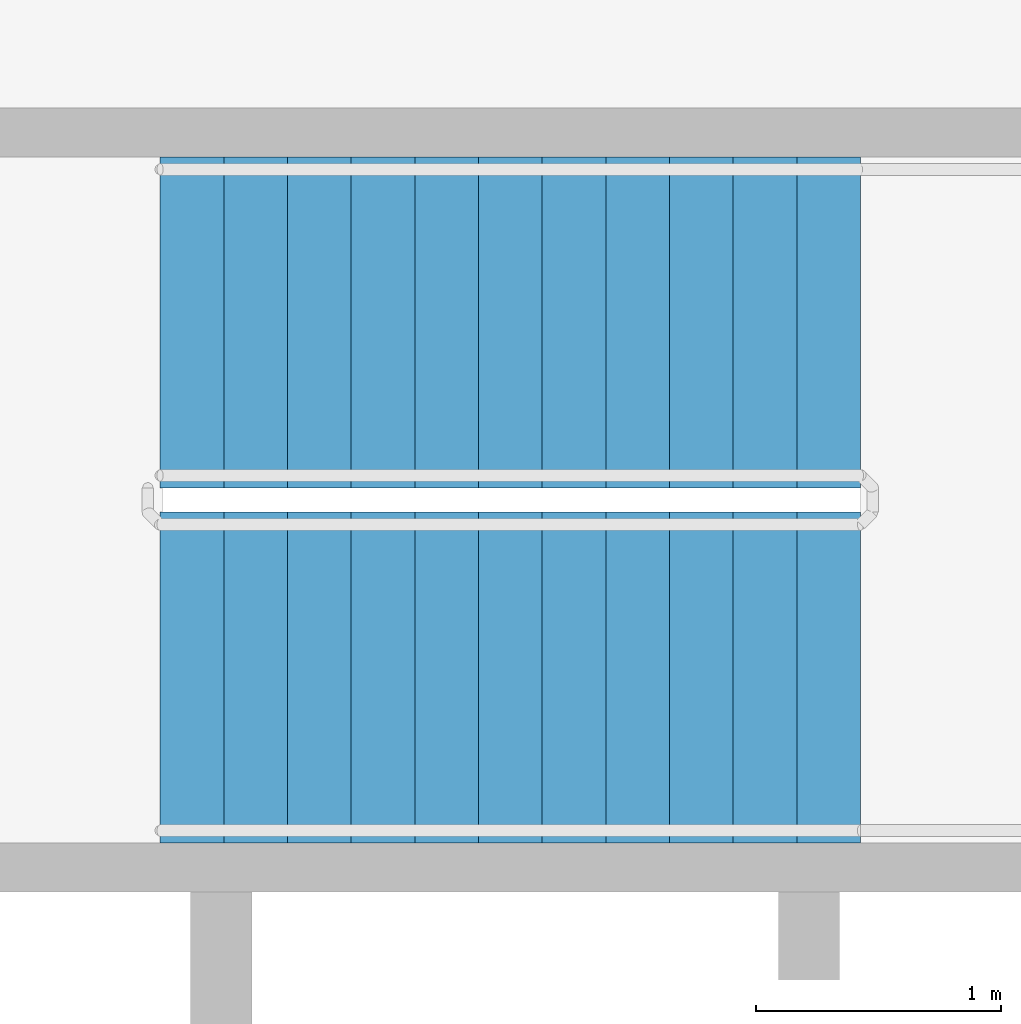
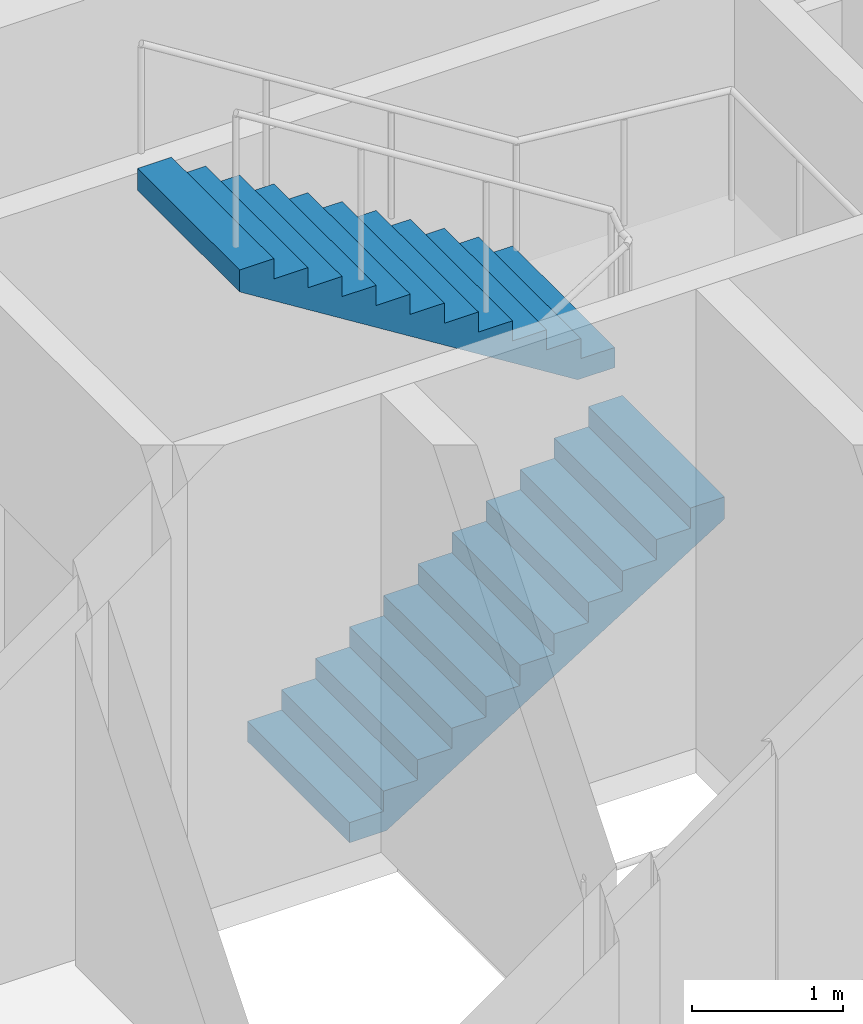
# One storey, part 10 of 11: 2 stair flights, 1 element without a shape of its own.
"""IFC4 building model written with IfcOpenShell, lengths in metres."""

from ifc_helpers import new_model, si_unit, direction, frame, origin, place, context, subcontext, project, spatial, polyline, outline, extrude, source, transform, mapped, material, type_object, element, aggregate, save


model = new_model("IFC4")

# Units and contexts
model_context = context("Model", 3, precision=1e-05, world=origin(), true_north=direction((0.0, 1.0)))
body_context = subcontext(model_context, "Body", "Model", "MODEL_VIEW")
ifc_project = project(units=[si_unit("LENGTHUNIT", "METRE"), si_unit("AREAUNIT", "SQUARE_METRE"), si_unit("VOLUMEUNIT", "CUBIC_METRE"), si_unit("PLANEANGLEUNIT", "RADIAN"), si_unit("MASSUNIT", "GRAM", prefix="KILO")], contexts=[model_context])

# Site, building, storey
site_placement = place(None, origin())
site = spatial("IfcSite", under=ifc_project, at=site_placement, CompositionType="ELEMENT")
building_placement = place(site_placement, origin())
building = spatial("IfcBuilding", under=site, at=building_placement, Name="Embergate Tower", CompositionType="ELEMENT")
storey_placement = place(building_placement, frame((0.0, 0.0, 187.199951171875)))
storey = spatial("IfcBuildingStorey", under=building, at=storey_placement, Name="L42", CompositionType="ELEMENT", Elevation=187.199951171875)

# Stair, stair flights
ifc_material_1 = material(Name="Exit stair")
stair_type = type_object("IfcStairType", Name="Exit stair", PredefinedType="HALF_TURN_STAIR", material=ifc_material_1)
stair_placement = place(storey_placement, origin())
stair = element("IfcStair", 1, at=stair_placement, inside=storey, type_object=stair_type, Name="L42 Exit stair 2", PredefinedType="HALF_TURN_STAIR")
ifc_material_2 = material(Name="Concrete C40", Category="concrete")
stair_flight_type = type_object("IfcStairFlightType", Name="Stair flight reinforced concrete", PredefinedType="STRAIGHT", material=ifc_material_2)
shared_shape = source(origin(), body_context, "Body", "SweptSolid", [
    extrude(outline(polyline([(0.0, 0.0), (0.0, 0.16259765625), (0.260009765625, 0.16259765625), (0.260009765625, 0.324951171875), (0.52001953125, 0.324951171875), (0.52001953125, 0.487548828125), (0.780029296875, 0.487548828125), (0.780029296875, 0.64990234375), (1.0400390625, 0.64990234375), (1.0400390625, 0.8125), (1.300048828125, 0.8125), (1.300048828125, 0.97509765625), (1.56005859375, 0.97509765625), (1.56005859375, 1.137451171875), (1.820068359375, 1.137451171875), (1.820068359375, 1.300048828125), (2.080078125, 1.300048828125), (2.080078125, 1.46240234375), (2.340087890625, 1.46240234375), (2.340087890625, 1.625), (2.60009765625, 1.625), (2.60009765625, 1.78759765625), (2.860107421875, 1.78759765625), (2.860107421875, 1.949951171875), (2.860107421875, 1.61083984375), (0.28271484375, 0.0), (0.0, 0.0)])), frame((0.0, 0.675048828125, 0.0), z_axis=(0.0, -1.0, 0.0), x_axis=(1.0, 0.0, 0.0)), (0.0, 0.0, 1.0), 1.35009765625),
])
stair_flight_1_placement = place(storey_placement, frame((5.75, 6.175048828125, 0.0), z_axis=(0.0, 0.0, 1.0), x_axis=(1.0, 0.0, 0.0)))
stair_flight_1 = element("IfcStairFlight", 2, at=stair_flight_1_placement, type_object=stair_flight_type, Name="ST2 flight 1", NumberOfRisers=12, NumberOfTreads=11, PredefinedType="STRAIGHT", RiserHeight=0.1625, TreadLength=0.26, context=body_context, shape_type="MappedRepresentation", body=[
    mapped(shared_shape, transform((0.0, 0.0, 0.0))),
])
stair_flight_2_placement = place(storey_placement, frame((8.610107421875, 7.625, 1.949951171875), z_axis=(0.0, 0.0, 1.0), x_axis=(-1.0, 0.0, 0.0)))
stair_flight_2 = element("IfcStairFlight", 3, at=stair_flight_2_placement, type_object=stair_flight_type, Name="ST2 flight 2", NumberOfRisers=12, NumberOfTreads=11, PredefinedType="STRAIGHT", RiserHeight=0.1625, TreadLength=0.26, context=body_context, shape_type="MappedRepresentation", body=[
    mapped(shared_shape, transform((0.0, 0.0, 0.0))),
])
aggregate(stair, [stair_flight_1, stair_flight_2])

save(model, "model.ifc")
